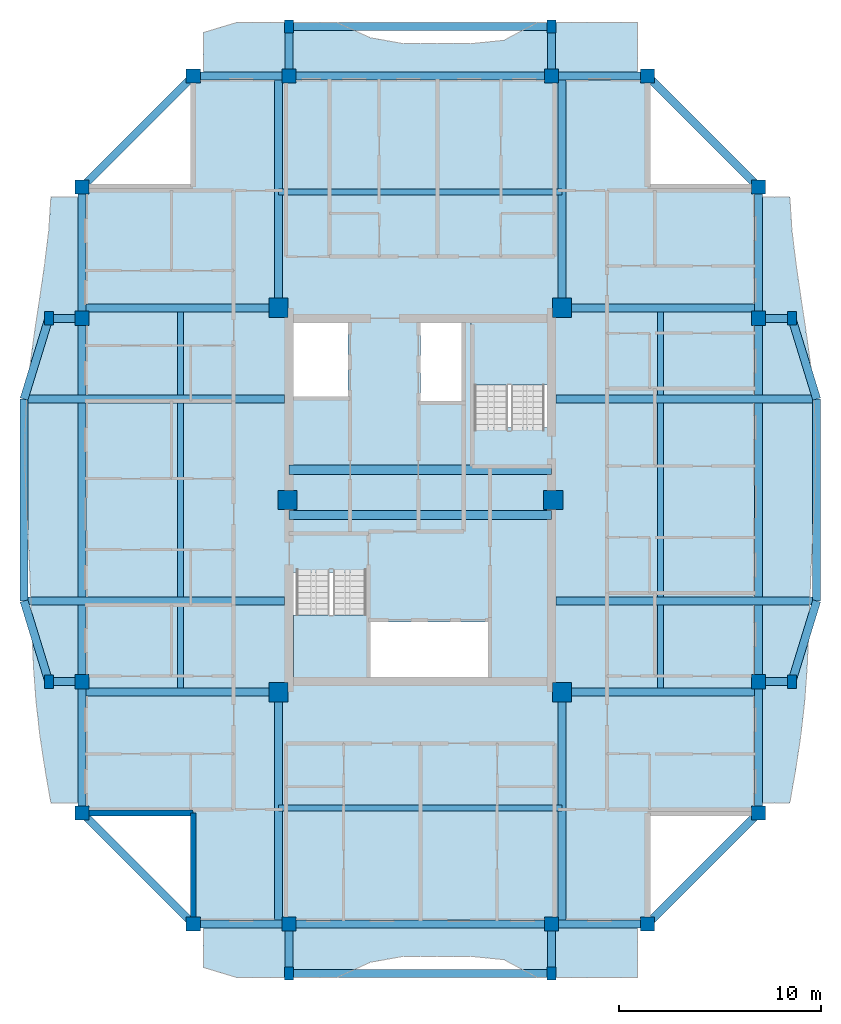
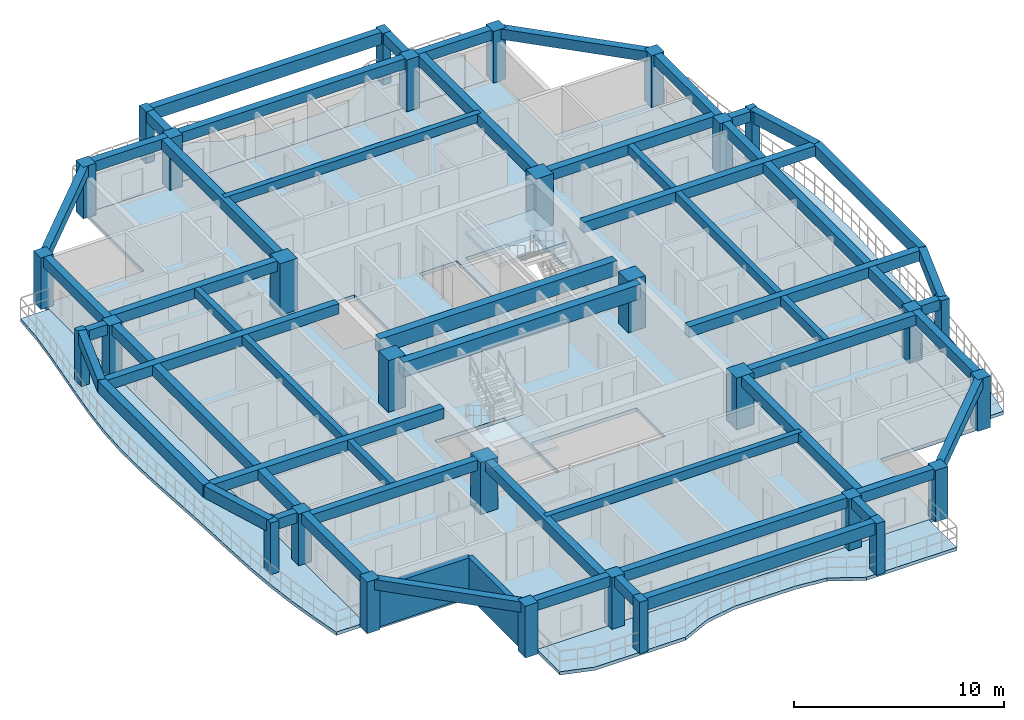
# One storey, part 1 of 13: 50 beams, 30 columns, 7 slabs, 2 walls, 2 elements without a shape of their own.
"""IFC4 building model written with IfcOpenShell, lengths in metres."""

from ifc_helpers import new_model, si_unit, direction, frame, frame_2d, origin, origin_2d, place, context, subcontext, project, spatial, polyline, rectangle, outline, extrude, source, transform, mapped, material, layer, layer_set, material_profile, profile_set, type_object, element, aggregate, save


model = new_model("IFC4")

# Units and contexts
model_context = context("Model", 3, precision=1e-05, world=origin(), true_north=direction((0.0, 1.0)))
body_context = subcontext(model_context, "Body", "Model", "MODEL_VIEW")
ifc_project = project(units=[si_unit("LENGTHUNIT", "METRE"), si_unit("AREAUNIT", "SQUARE_METRE"), si_unit("VOLUMEUNIT", "CUBIC_METRE"), si_unit("PLANEANGLEUNIT", "RADIAN"), si_unit("MASSUNIT", "GRAM", prefix="KILO")], contexts=[model_context])

# Site, building, storey
site_placement = place(None, origin())
site = spatial("IfcSite", under=ifc_project, at=site_placement, CompositionType="ELEMENT")
building_placement = place(site_placement, origin())
building = spatial("IfcBuilding", under=site, at=building_placement, Name="Saelheon Loggia Tower", CompositionType="ELEMENT")
storey_placement = place(building_placement, frame((0.0, 0.0, 220.199951171875)))
storey = spatial("IfcBuildingStorey", under=building, at=storey_placement, Name="L68", CompositionType="ELEMENT", Elevation=220.199951171875)

# Columns
ifc_material_1 = material(Name="Concrete C45/55", Category="concrete")
ifc_material_profile_1 = material_profile(ifc_material_1, rectangle(XDim=0.949951171875, YDim=0.949951171875, at=origin_2d()), Name="RC-950x950")
ifc_profile_set_1 = profile_set([ifc_material_profile_1], Name="Concrete C45/55")
column_type_1 = type_object("IfcColumnType", Name="Col_Core_RC950", PredefinedType="COLUMN", material=ifc_profile_set_1)
shared_shape_1 = source(origin(), body_context, "Body", "SweptSolid", [
    extrude(rectangle(XDim=0.949951171875, YDim=0.949951171875, at=origin_2d()), origin(), (0.0, 0.0, 1.0), 3.0),
])
for number, where, z_axis, x_axis, name in (
    (1, (30.97998046875, 17.47998046875, 0.0), (0.0, 0.0, 1.0), (1.0, 0.0, 0.0), "L68 Core Column CR-SW"),
    (2, (45.02001953125, 17.47998046875, 0.0), (0.0, 0.0, 1.0), (1.0, 0.0, 0.0), "L68 Core Column CR-SE"),
    (3, (30.97998046875, 36.52001953125, 0.0), (0.0, 0.0, 1.0), (1.0, 0.0, 0.0), "L68 Core Column CR-NW"),
    (4, (45.02001953125, 36.52001953125, 0.0), (0.0, 0.0, 1.0), (1.0, 0.0, 0.0), "L68 Core Column CR-NE"),
    (5, (31.419921875, 27.0, 0.0), (0.0, 0.0, 1.0), (1.0, 0.0, 0.0), "L68 Core Column CR-MW"),
    (6, (44.580078125, 27.0, 0.0), (0.0, 0.0, 1.0), (1.0, 0.0, 0.0), "L68 Core Column CR-ME"),
):
    element("IfcColumn", number, at=place(storey_placement, frame(where, z_axis=z_axis, x_axis=x_axis)), inside=storey, type_object=column_type_1, Name=name, PredefinedType="COLUMN", context=body_context, shape_type="MappedRepresentation", body=[
        mapped(shared_shape_1, transform((0.0, 0.0, 0.0), scale=1.0)),
    ])
ifc_material_2 = material(Name="Precast Concrete C45/55", Category="concrete")
ifc_material_profile_2 = material_profile(ifc_material_2, rectangle(XDim=0.449951171875, YDim=0.64990234375, at=origin_2d()), Name="RC-450x650")
ifc_profile_set_2 = profile_set([ifc_material_profile_2], Name="Precast Concrete C45/55")
column_type_2 = type_object("IfcColumnType", Name="Col_Loggia_Pilaster_650", PredefinedType="PILASTER", material=ifc_profile_set_2)
shared_shape_2 = source(origin(), body_context, "Body", "SweptSolid", [
    extrude(rectangle(XDim=0.449951171875, YDim=0.64990234375, at=origin_2d()), origin(), (0.0, 0.0, 1.0), 3.0),
])
for number, where, z_axis, x_axis, name in (
    (7, (31.5, 3.550048828125, 0.0), (0.0, 0.0, 1.0), (1.0, 0.0, 0.0), "L68 Loggia Frame Pilaster LP-S1"),
    (8, (44.5, 3.550048828125, 0.0), (0.0, 0.0, 1.0), (1.0, 0.0, 0.0), "L68 Loggia Frame Pilaster LP-S2"),
    (9, (31.5, 50.449951171875, 0.0), (0.0, 0.0, 1.0), (1.0, 0.0, 0.0), "L68 Loggia Frame Pilaster LP-N1"),
    (10, (44.5, 50.449951171875, 0.0), (0.0, 0.0, 1.0), (1.0, 0.0, 0.0), "L68 Loggia Frame Pilaster LP-N2"),
    (11, (56.39990234375, 18.0, 0.0), (0.0, 0.0, 1.0), (1.0, 0.0, 0.0), "L68 Loggia Frame Pilaster LP-E1"),
    (12, (56.39990234375, 36.0, 0.0), (0.0, 0.0, 1.0), (1.0, 0.0, 0.0), "L68 Loggia Frame Pilaster LP-E2"),
    (13, (19.60009765625, 18.0, 0.0), (0.0, 0.0, 1.0), (1.0, 0.0, 0.0), "L68 Loggia Frame Pilaster LP-W1"),
    (14, (19.60009765625, 36.0, 0.0), (0.0, 0.0, 1.0), (1.0, 0.0, 0.0), "L68 Loggia Frame Pilaster LP-W2"),
):
    element("IfcColumn", number, at=place(storey_placement, frame(where, z_axis=z_axis, x_axis=x_axis)), inside=storey, type_object=column_type_2, Name=name, PredefinedType="PILASTER", context=body_context, shape_type="MappedRepresentation", body=[
        mapped(shared_shape_2, transform((0.0, 0.0, 0.0), scale=1.0)),
    ])
ifc_material_profile_3 = material_profile(ifc_material_1, rectangle(XDim=0.699951171875, YDim=0.699951171875, at=origin_2d()), Name="RC-700x700")
ifc_profile_set_3 = profile_set([ifc_material_profile_3], Name="Concrete C45/55")
column_type_3 = type_object("IfcColumnType", Name="Col_Perim_RC700", PredefinedType="COLUMN", material=ifc_profile_set_3)
shared_shape_3 = source(origin(), body_context, "Body", "SweptSolid", [
    extrude(rectangle(XDim=0.699951171875, YDim=0.699951171875, at=origin_2d()), origin(), (0.0, 0.0, 1.0), 3.0),
])
for number, where, z_axis, x_axis, name in (
    (15, (26.75, 6.0, 0.0), (0.0, 0.0, 1.0), (1.0, 0.0, 0.0), "L68 Perimeter Column TP-S1"),
    (16, (31.5, 6.0, 0.0), (0.0, 0.0, 1.0), (1.0, 0.0, 0.0), "L68 Perimeter Column TP-SA"),
    (17, (44.5, 6.0, 0.0), (0.0, 0.0, 1.0), (1.0, 0.0, 0.0), "L68 Perimeter Column TP-SB"),
    (18, (49.25, 6.0, 0.0), (0.0, 0.0, 1.0), (1.0, 0.0, 0.0), "L68 Perimeter Column TP-S2"),
    (19, (54.75, 11.5, 0.0), (0.0, 0.0, 1.0), (1.0, 0.0, 0.0), "L68 Perimeter Column TP-E1"),
    (20, (54.75, 18.0, 0.0), (0.0, 0.0, 1.0), (1.0, 0.0, 0.0), "L68 Perimeter Column TP-EA"),
    (21, (54.75, 36.0, 0.0), (0.0, 0.0, 1.0), (1.0, 0.0, 0.0), "L68 Perimeter Column TP-EB"),
    (22, (54.75, 42.5, 0.0), (0.0, 0.0, 1.0), (1.0, 0.0, 0.0), "L68 Perimeter Column TP-E2"),
    (23, (49.25, 48.0, 0.0), (0.0, 0.0, 1.0), (1.0, 0.0, 0.0), "L68 Perimeter Column TP-N2"),
    (24, (44.5, 48.0, 0.0), (0.0, 0.0, 1.0), (1.0, 0.0, 0.0), "L68 Perimeter Column TP-NB"),
    (25, (31.5, 48.0, 0.0), (0.0, 0.0, 1.0), (1.0, 0.0, 0.0), "L68 Perimeter Column TP-NA"),
    (26, (26.75, 48.0, 0.0), (0.0, 0.0, 1.0), (1.0, 0.0, 0.0), "L68 Perimeter Column TP-N1"),
    (27, (21.25, 42.5, 0.0), (0.0, 0.0, 1.0), (1.0, 0.0, 0.0), "L68 Perimeter Column TP-W2"),
    (28, (21.25, 36.0, 0.0), (0.0, 0.0, 1.0), (1.0, 0.0, 0.0), "L68 Perimeter Column TP-WB"),
    (29, (21.25, 18.0, 0.0), (0.0, 0.0, 1.0), (1.0, 0.0, 0.0), "L68 Perimeter Column TP-WA"),
    (30, (21.25, 11.5, 0.0), (0.0, 0.0, 1.0), (1.0, 0.0, 0.0), "L68 Perimeter Column TP-W1"),
):
    element("IfcColumn", number, at=place(storey_placement, frame(where, z_axis=z_axis, x_axis=x_axis)), inside=storey, type_object=column_type_3, Name=name, PredefinedType="COLUMN", context=body_context, shape_type="MappedRepresentation", body=[
        mapped(shared_shape_3, transform((0.0, 0.0, 0.0), scale=1.0)),
    ])

# Beams
ifc_material_3 = material(Name="Concrete C50/60", Category="concrete")
ifc_material_profile_4 = material_profile(ifc_material_3, rectangle(XDim=0.449951171875, YDim=0.85009765625, at=origin_2d()), Name="RC-450x850")
ifc_profile_set_4 = profile_set([ifc_material_profile_4], Name="Concrete C50/60")
beam_type_1 = type_object("IfcBeamType", Name="Beam_CoreLintel_RC450x850", PredefinedType="LINTEL", material=ifc_profile_set_4)
shared_shape_4 = source(origin(), body_context, "Body", "SweptSolid", [
    extrude(rectangle(XDim=0.449951171875, YDim=0.85009765625, at=origin_2d()), origin(), (0.0, 0.0, 1.0), 13.0),
])
for number, where, z_axis, x_axis, name in (
    (31, (31.5, 26.25, 2.574951171875), (1.0, 0.0, 0.0), (0.0, 1.0, 0.0), "L68 Core Coupling Lintel 1"),
    (32, (31.5, 28.5, 2.574951171875), (1.0, 0.0, 0.0), (0.0, 1.0, 0.0), "L68 Core Coupling Lintel 2"),
):
    element("IfcBeam", number, at=place(storey_placement, frame(where, z_axis=z_axis, x_axis=x_axis)), inside=storey, type_object=beam_type_1, Name=name, PredefinedType="LINTEL", context=body_context, shape_type="MappedRepresentation", body=[
        mapped(shared_shape_4, transform((0.0, 0.0, 0.0), scale=1.0)),
    ])
ifc_material_profile_5 = material_profile(ifc_material_2, rectangle(XDim=0.39990234375, YDim=0.60009765625, at=origin_2d()), Name="RC-400x600")
ifc_profile_set_5 = profile_set([ifc_material_profile_5], Name="Precast Concrete C45/55")
beam_type_2 = type_object("IfcBeamType", Name="Beam_LoggiaTie_RC400x600", PredefinedType="BEAM", material=ifc_profile_set_5)
shared_shape_5 = source(origin(), body_context, "Body", "SweptSolid", [
    extrude(rectangle(XDim=0.39990234375, YDim=0.60009765625, at=origin_2d()), origin(), (0.0, 0.0, 1.0), 2.449951171875),
])
for number, where, z_axis, x_axis, name in (
    (33, (31.5, 6.0, 2.699951171875), (0.0, -1.0, 0.0), (1.0, 0.0, 0.0), "L68 Loggia Frame Tie Beam LP-S1"),
    (34, (44.5, 6.0, 2.699951171875), (0.0, -1.0, 0.0), (1.0, 0.0, 0.0), "L68 Loggia Frame Tie Beam LP-S2"),
    (35, (31.5, 48.0, 2.699951171875), (0.0, 1.0, 0.0), (-1.0, 0.0, 0.0), "L68 Loggia Frame Tie Beam LP-N1"),
    (36, (44.5, 48.0, 2.699951171875), (0.0, 1.0, 0.0), (-1.0, 0.0, 0.0), "L68 Loggia Frame Tie Beam LP-N2"),
):
    element("IfcBeam", number, at=place(storey_placement, frame(where, z_axis=z_axis, x_axis=x_axis)), inside=storey, type_object=beam_type_2, Name=name, PredefinedType="BEAM", context=body_context, shape_type="MappedRepresentation", body=[
        mapped(shared_shape_5, transform((0.0, 0.0, 0.0), scale=1.0)),
    ])
ifc_material_4 = material(Name="Concrete C40/50", Category="concrete")
ifc_material_profile_6 = material_profile(ifc_material_4, rectangle(XDim=0.300048828125, YDim=0.5, at=origin_2d()), Name="RC-300x500")
ifc_profile_set_6 = profile_set([ifc_material_profile_6], Name="Concrete C40/50")
beam_type_3 = type_object("IfcBeamType", Name="Beam_Joist_RC300x500", PredefinedType="JOIST", material=ifc_profile_set_6)
shared_shape_6 = source(origin(), body_context, "Body", "SweptSolid", [
    extrude(rectangle(XDim=0.300048828125, YDim=0.5, at=origin_2d()), origin(), (0.0, 0.0, 1.0), 14.0400390625),
])
for number, where, z_axis, x_axis, name in (
    (37, (30.97998046875, 11.739990234375, 2.75), (1.0, 0.0, 0.0), (0.0, 1.0, 0.0), "L68 South Floor Joist"),
    (38, (30.97998046875, 42.260009765625, 2.75), (1.0, 0.0, 0.0), (0.0, 1.0, 0.0), "L68 North Floor Joist"),
):
    element("IfcBeam", number, at=place(storey_placement, frame(where, z_axis=z_axis, x_axis=x_axis)), inside=storey, type_object=beam_type_3, Name=name, PredefinedType="JOIST", context=body_context, shape_type="MappedRepresentation", body=[
        mapped(shared_shape_6, transform((0.0, 0.0, 0.0), scale=1.0)),
    ])
shared_shape_7 = source(origin(), body_context, "Body", "SweptSolid", [
    extrude(rectangle(XDim=0.300048828125, YDim=0.5, at=origin_2d()), origin(), (0.0, 0.0, 1.0), 19.0400390625),
])
for number, where, z_axis, x_axis, name in (
    (39, (26.114990234375, 17.47998046875, 2.75), (0.0, 1.0, 0.0), (-1.0, 0.0, 0.0), "L68 West Floor Joist"),
    (40, (49.885009765625, 17.47998046875, 2.75), (0.0, 1.0, 0.0), (-1.0, 0.0, 0.0), "L68 East Floor Joist"),
):
    element("IfcBeam", number, at=place(storey_placement, frame(where, z_axis=z_axis, x_axis=x_axis)), inside=storey, type_object=beam_type_3, Name=name, PredefinedType="JOIST", context=body_context, shape_type="MappedRepresentation", body=[
        mapped(shared_shape_7, transform((0.0, 0.0, 0.0), scale=1.0)),
    ])
shared_shape_8 = source(origin(), body_context, "Body", "SweptSolid", [
    extrude(rectangle(XDim=0.39990234375, YDim=0.60009765625, at=origin_2d()), origin(), (0.0, 0.0, 1.0), 1.64990234375),
])
for number, where, z_axis, x_axis, name in (
    (41, (54.75, 18.0, 2.699951171875), (1.0, 0.0, 0.0), (0.0, 1.0, 0.0), "L68 Loggia Frame Tie Beam LP-E1"),
    (42, (54.75, 36.0, 2.699951171875), (1.0, 0.0, 0.0), (0.0, 1.0, 0.0), "L68 Loggia Frame Tie Beam LP-E2"),
    (43, (21.25, 18.0, 2.699951171875), (-1.0, 0.0, 0.0), (0.0, -1.0, 0.0), "L68 Loggia Frame Tie Beam LP-W1"),
    (44, (21.25, 36.0, 2.699951171875), (-1.0, 0.0, 0.0), (0.0, -1.0, 0.0), "L68 Loggia Frame Tie Beam LP-W2"),
):
    element("IfcBeam", number, at=place(storey_placement, frame(where, z_axis=z_axis, x_axis=x_axis)), inside=storey, type_object=beam_type_2, Name=name, PredefinedType="BEAM", context=body_context, shape_type="MappedRepresentation", body=[
        mapped(shared_shape_8, transform((0.0, 0.0, 0.0), scale=1.0)),
    ])
ifc_material_profile_7 = material_profile(ifc_material_2, rectangle(XDim=0.39990234375, YDim=0.699951171875, at=origin_2d()), Name="RC-400x700")
ifc_profile_set_7 = profile_set([ifc_material_profile_7], Name="Precast Concrete C45/55")
beam_type_4 = type_object("IfcBeamType", Name="Beam_LoggiaSpandrel_RC400x700", PredefinedType="SPANDREL", material=ifc_profile_set_7)
shared_shape_9 = source(origin(), body_context, "Body", "SweptSolid", [
    extrude(rectangle(XDim=0.39990234375, YDim=0.699951171875, at=origin_2d()), origin(), (0.0, 0.0, 1.0), 13.0),
])
for number, where, z_axis, x_axis, name in (
    (45, (31.5, 3.550048828125, 2.650146484375), (1.0, 0.0, 0.0), (0.0, 1.0, 0.0), "L68 Loggia Spandrel Beam S"),
    (46, (31.5, 50.449951171875, 2.650146484375), (1.0, 0.0, 0.0), (0.0, 1.0, 0.0), "L68 Loggia Spandrel Beam N"),
):
    element("IfcBeam", number, at=place(storey_placement, frame(where, z_axis=z_axis, x_axis=x_axis)), inside=storey, type_object=beam_type_4, Name=name, PredefinedType="SPANDREL", context=body_context, shape_type="MappedRepresentation", body=[
        mapped(shared_shape_9, transform((0.0, 0.0, 0.0), scale=1.0)),
    ])
shared_shape_10 = source(origin(), body_context, "Body", "SweptSolid", [
    extrude(rectangle(XDim=0.39990234375, YDim=0.699951171875, at=origin_2d()), origin(), (0.0, 0.0, 1.0), 4.184814453125),
])
for number, where, z_axis, x_axis, name in (
    (47, (56.39990234375, 18.0, 2.650146484375), (0.293913664135, 0.955831971653, 0.0), (-0.955831971653, 0.293913664135, 0.0), "L68 Curved Loggia Spandrel E 1"),
    (48, (57.6298828125, 32.0, 2.650146484375), (-0.293913664135, 0.955831971653, 0.0), (-0.955831971653, -0.293913664135, 0.0), "L68 Curved Loggia Spandrel E 3"),
    (49, (19.60009765625, 18.0, 2.650146484375), (-0.293913664135, 0.955831971653, 0.0), (-0.955831971653, -0.293913664135, 0.0), "L68 Curved Loggia Spandrel W 1"),
    (50, (18.3701171875, 32.0, 2.650146484375), (0.293913664135, 0.955831971653, 0.0), (-0.955831971653, 0.293913664135, 0.0), "L68 Curved Loggia Spandrel W 3"),
):
    element("IfcBeam", number, at=place(storey_placement, frame(where, z_axis=z_axis, x_axis=x_axis)), inside=storey, type_object=beam_type_4, Name=name, PredefinedType="SPANDREL", context=body_context, shape_type="MappedRepresentation", body=[
        mapped(shared_shape_10, transform((0.0, 0.0, 0.0), scale=1.0)),
    ])
shared_shape_11 = source(origin(), body_context, "Body", "SweptSolid", [
    extrude(rectangle(XDim=0.39990234375, YDim=0.699951171875, at=origin_2d()), origin(), (0.0, 0.0, 1.0), 10.0),
])
for number, where, z_axis, x_axis, name in (
    (51, (57.6298828125, 22.0, 2.650146484375), (0.0, 1.0, 0.0), (-1.0, 0.0, 0.0), "L68 Curved Loggia Spandrel E 2"),
    (52, (18.3701171875, 22.0, 2.650146484375), (0.0, 1.0, 0.0), (-1.0, 0.0, 0.0), "L68 Curved Loggia Spandrel W 2"),
):
    element("IfcBeam", number, at=place(storey_placement, frame(where, z_axis=z_axis, x_axis=x_axis)), inside=storey, type_object=beam_type_4, Name=name, PredefinedType="SPANDREL", context=body_context, shape_type="MappedRepresentation", body=[
        mapped(shared_shape_11, transform((0.0, 0.0, 0.0), scale=1.0)),
    ])
ifc_material_profile_8 = material_profile(ifc_material_4, rectangle(XDim=0.39990234375, YDim=0.60009765625, at=origin_2d()), Name="RC-400x600")
ifc_profile_set_8 = profile_set([ifc_material_profile_8], Name="Concrete C40/50")
beam_type_5 = type_object("IfcBeamType", Name="Beam_PerimUpper_RC400x600", PredefinedType="BEAM", material=ifc_profile_set_8)
shared_shape_12 = source(origin(), body_context, "Body", "SweptSolid", [
    extrude(rectangle(XDim=0.39990234375, YDim=0.60009765625, at=origin_2d()), origin(), (0.0, 0.0, 1.0), 13.0),
])
for number, where, z_axis, x_axis, name in (
    (53, (31.5, 6.0, 2.699951171875), (1.0, 0.0, 0.0), (0.0, 1.0, 0.0), "L68 Perimeter Frame Girder 02"),
    (54, (44.5, 48.0, 2.699951171875), (-1.0, 0.0, 0.0), (0.0, -1.0, 0.0), "L68 Perimeter Frame Girder 10"),
):
    element("IfcBeam", number, at=place(storey_placement, frame(where, z_axis=z_axis, x_axis=x_axis)), inside=storey, type_object=beam_type_5, Name=name, PredefinedType="BEAM", context=body_context, shape_type="MappedRepresentation", body=[
        mapped(shared_shape_12, transform((0.0, 0.0, 0.0), scale=1.0)),
    ])
shared_shape_13 = source(origin(), body_context, "Body", "SweptSolid", [
    extrude(rectangle(XDim=0.39990234375, YDim=0.60009765625, at=origin_2d()), origin(), (0.0, 0.0, 1.0), 18.0),
])
for number, where, z_axis, x_axis, name in (
    (55, (54.75, 18.0, 2.699951171875), (0.0, 1.0, 0.0), (-1.0, 0.0, 0.0), "L68 Perimeter Frame Girder 06"),
    (56, (21.25, 36.0, 2.699951171875), (0.0, -1.0, 0.0), (1.0, 0.0, 0.0), "L68 Perimeter Frame Girder 14"),
):
    element("IfcBeam", number, at=place(storey_placement, frame(where, z_axis=z_axis, x_axis=x_axis)), inside=storey, type_object=beam_type_5, Name=name, PredefinedType="BEAM", context=body_context, shape_type="MappedRepresentation", body=[
        mapped(shared_shape_13, transform((0.0, 0.0, 0.0), scale=1.0)),
    ])
ifc_material_profile_9 = material_profile(ifc_material_4, rectangle(XDim=0.39990234375, YDim=0.60009765625, at=origin_2d()), Name="RC-400x600")
ifc_profile_set_9 = profile_set([ifc_material_profile_9], Name="Concrete C40/50")
beam_type_6 = type_object("IfcBeamType", Name="Beam_UpperGirder_RC400x600", PredefinedType="BEAM", material=ifc_profile_set_9)
shared_shape_14 = source(origin(), body_context, "Body", "SweptSolid", [
    extrude(rectangle(XDim=0.39990234375, YDim=0.60009765625, at=origin_2d()), origin(), (0.0, 0.0, 1.0), 11.47998046875),
])
for number, where, z_axis, x_axis, name in (
    (57, (30.97998046875, 17.47998046875, 2.699951171875), (0.0, -1.0, 0.0), (1.0, 0.0, 0.0), "L68 Radial Floor Girder RAD-SW-S"),
    (58, (45.02001953125, 17.47998046875, 2.699951171875), (0.0, -1.0, 0.0), (1.0, 0.0, 0.0), "L68 Radial Floor Girder RAD-SE-S"),
    (59, (30.97998046875, 36.52001953125, 2.699951171875), (0.0, 1.0, 0.0), (-1.0, 0.0, 0.0), "L68 Radial Floor Girder RAD-NW-N"),
    (60, (45.02001953125, 36.52001953125, 2.699951171875), (0.0, 1.0, 0.0), (-1.0, 0.0, 0.0), "L68 Radial Floor Girder RAD-NE-N"),
):
    element("IfcBeam", number, at=place(storey_placement, frame(where, z_axis=z_axis, x_axis=x_axis)), inside=storey, type_object=beam_type_6, Name=name, PredefinedType="BEAM", context=body_context, shape_type="MappedRepresentation", body=[
        mapped(shared_shape_14, transform((0.0, 0.0, 0.0), scale=1.0)),
    ])
shared_shape_15 = source(origin(), body_context, "Body", "SweptSolid", [
    extrude(rectangle(XDim=0.39990234375, YDim=0.60009765625, at=origin_2d()), origin(), (0.0, 0.0, 1.0), 6.5),
])
for number, where, z_axis, x_axis, name in (
    (61, (54.75, 11.5, 2.699951171875), (0.0, 1.0, 0.0), (-1.0, 0.0, 0.0), "L68 Perimeter Frame Girder 05"),
    (62, (54.75, 36.0, 2.699951171875), (0.0, 1.0, 0.0), (-1.0, 0.0, 0.0), "L68 Perimeter Frame Girder 07"),
    (63, (21.25, 42.5, 2.699951171875), (0.0, -1.0, 0.0), (1.0, 0.0, 0.0), "L68 Perimeter Frame Girder 13"),
    (64, (21.25, 18.0, 2.699951171875), (0.0, -1.0, 0.0), (1.0, 0.0, 0.0), "L68 Perimeter Frame Girder 15"),
):
    element("IfcBeam", number, at=place(storey_placement, frame(where, z_axis=z_axis, x_axis=x_axis)), inside=storey, type_object=beam_type_5, Name=name, PredefinedType="BEAM", context=body_context, shape_type="MappedRepresentation", body=[
        mapped(shared_shape_15, transform((0.0, 0.0, 0.0), scale=1.0)),
    ])
shared_shape_16 = source(origin(), body_context, "Body", "SweptSolid", [
    extrude(rectangle(XDim=0.39990234375, YDim=0.60009765625, at=origin_2d()), origin(), (0.0, 0.0, 1.0), 7.778076171875),
])
for number, where, z_axis, x_axis, name in (
    (65, (49.25, 6.0, 2.699951171875), (0.707106781187, 0.707106781187, 0.0), (-0.707106781187, 0.707106781187, 0.0), "L68 Perimeter Frame Girder 04"),
    (66, (54.75, 42.5, 2.699951171875), (-0.707106781187, 0.707106781187, 0.0), (-0.707106781187, -0.707106781187, 0.0), "L68 Perimeter Frame Girder 08"),
    (67, (26.75, 48.0, 2.699951171875), (-0.707106781187, -0.707106781187, 0.0), (0.707106781187, -0.707106781187, 0.0), "L68 Perimeter Frame Girder 12"),
    (68, (21.25, 11.5, 2.699951171875), (0.707106781187, -0.707106781187, 0.0), (0.707106781187, 0.707106781187, 0.0), "L68 Perimeter Frame Girder 16"),
):
    element("IfcBeam", number, at=place(storey_placement, frame(where, z_axis=z_axis, x_axis=x_axis)), inside=storey, type_object=beam_type_5, Name=name, PredefinedType="BEAM", context=body_context, shape_type="MappedRepresentation", body=[
        mapped(shared_shape_16, transform((0.0, 0.0, 0.0), scale=1.0)),
    ])
shared_shape_17 = source(origin(), body_context, "Body", "SweptSolid", [
    extrude(rectangle(XDim=0.39990234375, YDim=0.60009765625, at=origin_2d()), origin(), (0.0, 0.0, 1.0), 4.75),
])
for number, where, z_axis, x_axis, name in (
    (69, (26.75, 6.0, 2.699951171875), (1.0, 0.0, 0.0), (0.0, 1.0, 0.0), "L68 Perimeter Frame Girder 01"),
    (70, (44.5, 6.0, 2.699951171875), (1.0, 0.0, 0.0), (0.0, 1.0, 0.0), "L68 Perimeter Frame Girder 03"),
    (71, (49.25, 48.0, 2.699951171875), (-1.0, 0.0, 0.0), (0.0, -1.0, 0.0), "L68 Perimeter Frame Girder 09"),
    (72, (31.5, 48.0, 2.699951171875), (-1.0, 0.0, 0.0), (0.0, -1.0, 0.0), "L68 Perimeter Frame Girder 11"),
):
    element("IfcBeam", number, at=place(storey_placement, frame(where, z_axis=z_axis, x_axis=x_axis)), inside=storey, type_object=beam_type_5, Name=name, PredefinedType="BEAM", context=body_context, shape_type="MappedRepresentation", body=[
        mapped(shared_shape_17, transform((0.0, 0.0, 0.0), scale=1.0)),
    ])
shared_shape_18 = source(origin(), body_context, "Body", "SweptSolid", [
    extrude(rectangle(XDim=0.39990234375, YDim=0.60009765625, at=origin_2d()), origin(), (0.0, 0.0, 1.0), 9.72998046875),
])
for number, where, z_axis, x_axis, name in (
    (73, (30.97998046875, 17.47998046875, 2.699951171875), (-1.0, 0.0, 0.0), (0.0, -1.0, 0.0), "L68 Radial Floor Girder RAD-SW-W"),
    (74, (30.97998046875, 36.52001953125, 2.699951171875), (-1.0, 0.0, 0.0), (0.0, -1.0, 0.0), "L68 Radial Floor Girder RAD-NW-W"),
    (75, (45.02001953125, 17.47998046875, 2.699951171875), (1.0, 0.0, 0.0), (0.0, 1.0, 0.0), "L68 Radial Floor Girder RAD-SE-E"),
    (76, (45.02001953125, 36.52001953125, 2.699951171875), (1.0, 0.0, 0.0), (0.0, 1.0, 0.0), "L68 Radial Floor Girder RAD-NE-E"),
):
    element("IfcBeam", number, at=place(storey_placement, frame(where, z_axis=z_axis, x_axis=x_axis)), inside=storey, type_object=beam_type_6, Name=name, PredefinedType="BEAM", context=body_context, shape_type="MappedRepresentation", body=[
        mapped(shared_shape_18, transform((0.0, 0.0, 0.0), scale=1.0)),
    ])
shared_shape_19 = source(origin(), body_context, "Body", "SweptSolid", [
    extrude(rectangle(XDim=0.39990234375, YDim=0.60009765625, at=origin_2d()), origin(), (0.0, 0.0, 1.0), 12.909912109375),
])
for number, where, z_axis, x_axis, name in (
    (77, (44.719970703125, 22.0, 2.699951171875), (1.0, 0.0, 0.0), (0.0, 1.0, 0.0), "L68 Curved Facade Outrigger Beam E 1"),
    (78, (44.719970703125, 32.0, 2.699951171875), (1.0, 0.0, 0.0), (0.0, 1.0, 0.0), "L68 Curved Facade Outrigger Beam E 2"),
    (79, (31.280029296875, 22.0, 2.699951171875), (-1.0, 0.0, 0.0), (0.0, -1.0, 0.0), "L68 Curved Facade Outrigger Beam W 1"),
    (80, (31.280029296875, 32.0, 2.699951171875), (-1.0, 0.0, 0.0), (0.0, -1.0, 0.0), "L68 Curved Facade Outrigger Beam W 2"),
):
    element("IfcBeam", number, at=place(storey_placement, frame(where, z_axis=z_axis, x_axis=x_axis)), inside=storey, type_object=beam_type_2, Name=name, PredefinedType="BEAM", context=body_context, shape_type="MappedRepresentation", body=[
        mapped(shared_shape_19, transform((0.0, 0.0, 0.0), scale=1.0)),
    ])

# Slabs
ifc_layer_1 = layer(ifc_material_2, 0.18994140625)
ifc_layer_set_1 = layer_set([ifc_layer_1], Name="Precast Concrete C45/55")
slab_type_1 = type_object("IfcSlabType", Name="Slab_Loggia_Ext_190", PredefinedType="FLOOR", material=ifc_layer_set_1)
slab_1_placement = place(storey_placement, frame((0.0, 0.0, -0.18994140625)))
element("IfcSlab", 81, at=slab_1_placement, inside=storey, type_object=slab_type_1, Name="L68 Loggia Balcony Slab S", PredefinedType="FLOOR", context=body_context, shape_type="SweptSolid", body=[
    extrude(outline(polyline([(27.25, 3.85009765625), (28.90380859375, 3.35009765625), (30.5576171875, 3.35009765625), (32.21142578125, 3.35009765625), (33.865478515625, 3.35009765625), (35.519287109375, 4.103515625), (37.173095703125, 4.39990234375), (38.826904296875, 4.39990234375), (40.480712890625, 4.39990234375), (42.134521484375, 4.233642578125), (43.78857421875, 3.351806640625), (45.4423828125, 3.35009765625), (47.09619140625, 3.35009765625), (48.75, 3.35009765625), (48.75, 6.0), (27.25, 6.0), (27.25, 3.85009765625)])), origin(), (0.0, 0.0, 1.0), 0.18994140625),
])
slab_2_placement = place(storey_placement, frame((0.0, 0.0, -0.18994140625)))
element("IfcSlab", 82, at=slab_2_placement, inside=storey, type_object=slab_type_1, Name="L68 Loggia Balcony Slab N", PredefinedType="FLOOR", context=body_context, shape_type="SweptSolid", body=[
    extrude(outline(polyline([(27.25, 48.0), (48.75, 48.0), (48.75, 50.64990234375), (47.09619140625, 50.64990234375), (45.4423828125, 50.64990234375), (43.78857421875, 50.648193359375), (42.134521484375, 49.766357421875), (40.480712890625, 49.60009765625), (38.826904296875, 49.60009765625), (37.173095703125, 49.60009765625), (35.519287109375, 49.896484375), (33.865478515625, 50.64990234375), (32.21142578125, 50.64990234375), (30.5576171875, 50.64990234375), (28.90380859375, 50.64990234375), (27.25, 50.14990234375), (27.25, 48.0)])), origin(), (0.0, 0.0, 1.0), 0.18994140625),
])
slab_3_placement = place(storey_placement, frame((0.0, 0.0, -0.18994140625)))
element("IfcSlab", 83, at=slab_3_placement, inside=storey, type_object=slab_type_1, Name="L68 Loggia Balcony Slab E", PredefinedType="FLOOR", context=body_context, shape_type="SweptSolid", body=[
    extrude(outline(polyline([(54.75, 12.0), (56.300048828125, 12.0), (56.591796875, 13.666748046875), (56.844482421875, 15.333251953125), (57.033447265625, 17.0), (57.156494140625, 18.666748046875), (57.23193359375, 20.333251953125), (57.28955078125, 22.0), (57.3544921875, 23.666748046875), (57.43603515625, 25.333251953125), (57.521240234375, 27.0), (57.5810546875, 28.666748046875), (57.58154296875, 30.333251953125), (57.5, 32.0), (57.334716796875, 33.666748046875), (57.106689453125, 35.333251953125), (56.852783203125, 37.0), (56.611328125, 38.666748046875), (56.4072265625, 40.333251953125), (56.300048828125, 42.0), (54.75, 42.0), (54.75, 12.0)])), origin(), (0.0, 0.0, 1.0), 0.18994140625),
])
slab_4_placement = place(storey_placement, frame((0.0, 0.0, -0.18994140625)))
element("IfcSlab", 84, at=slab_4_placement, inside=storey, type_object=slab_type_1, Name="L68 Loggia Balcony Slab W", PredefinedType="FLOOR", context=body_context, shape_type="SweptSolid", body=[
    extrude(outline(polyline([(21.25, 12.0), (21.25, 42.0), (19.699951171875, 42.0), (19.5927734375, 40.333251953125), (19.388671875, 38.666748046875), (19.147216796875, 37.0), (18.893310546875, 35.333251953125), (18.665283203125, 33.666748046875), (18.5, 32.0), (18.41845703125, 30.333251953125), (18.4189453125, 28.666748046875), (18.478759765625, 27.0), (18.56396484375, 25.333251953125), (18.6455078125, 23.666748046875), (18.71044921875, 22.0), (18.76806640625, 20.333251953125), (18.843505859375, 18.666748046875), (18.966552734375, 17.0), (19.155517578125, 15.333251953125), (19.408203125, 13.666748046875), (19.699951171875, 12.0), (21.25, 12.0)])), origin(), (0.0, 0.0, 1.0), 0.18994140625),
])

# Stair, slab
stair_type = type_object("IfcStairType", Name="Stair_Escape_Core", PredefinedType="HALF_TURN_STAIR", material=ifc_material_4)
stair_1_placement = place(storey_placement, origin())
stair_1 = element("IfcStair", 85, at=stair_1_placement, inside=storey, type_object=stair_type, Name="L68 Special Escape Stair ST1", PredefinedType="HALF_TURN_STAIR")
ifc_layer_2 = layer(ifc_material_4, 0.199951171875)
ifc_layer_set_2 = layer_set([ifc_layer_2], Name="Concrete C40/50")
slab_type_2 = type_object("IfcSlabType", Name="Slab_StairLanding_ST1", PredefinedType="LANDING", material=ifc_layer_set_2)
slab_5_placement = place(storey_placement, frame((0.0, 0.0, 1.300048828125)))
slab_5 = element("IfcSlab", 86, at=slab_5_placement, type_object=slab_type_2, Name="ST1 landing 1", PredefinedType="LANDING", context=body_context, shape_type="SweptSolid", body=[
    extrude(outline(polyline([(31.7099609375, 21.31005859375), (31.7099609375, 18.2099609375), (35.469970703125, 18.2099609375), (35.469970703125, 21.31005859375), (31.7099609375, 21.31005859375)])), origin(), (0.0, 0.0, 1.0), 0.199951171875),
])
aggregate(stair_1, [slab_5])

stair_2_placement = place(storey_placement, origin())
stair_2 = element("IfcStair", 87, at=stair_2_placement, inside=storey, type_object=stair_type, Name="L68 Special Escape Stair ST2", PredefinedType="HALF_TURN_STAIR")
ifc_layer_3 = layer(ifc_material_4, 0.199951171875)
ifc_layer_set_3 = layer_set([ifc_layer_3], Name="Concrete C40/50")
slab_type_3 = type_object("IfcSlabType", Name="Slab_StairLanding_ST2", PredefinedType="LANDING", material=ifc_layer_set_3)
slab_6_placement = place(storey_placement, frame((0.0, 0.0, 1.300048828125)))
slab_6 = element("IfcSlab", 88, at=slab_6_placement, type_object=slab_type_3, Name="ST2 landing 1", PredefinedType="LANDING", context=body_context, shape_type="SweptSolid", body=[
    extrude(outline(polyline([(44.2900390625, 32.68994140625), (44.2900390625, 35.7900390625), (40.530029296875, 35.7900390625), (40.530029296875, 32.68994140625), (44.2900390625, 32.68994140625)])), origin(), (0.0, 0.0, 1.0), 0.199951171875),
])
aggregate(stair_2, [slab_6])

# Slab
ifc_layer_4 = layer(ifc_material_4, 0.2099609375)
ifc_layer_set_4 = layer_set([ifc_layer_4], Name="Concrete C40/50")
slab_type_4 = type_object("IfcSlabType", Name="Slab_Tower_210", PredefinedType="FLOOR", material=ifc_layer_set_4)
slab_7_placement = place(storey_placement, frame((0.0, 0.0, -0.2099609375)))
element("IfcSlab", 89, at=slab_7_placement, inside=storey, type_object=slab_type_4, Name="L68 Tower Floor Slab", PredefinedType="FLOOR", context=body_context, shape_type="SweptSolid", body=[
    extrude(outline(polyline([(26.75, 6.0), (49.25, 6.0), (49.25, 11.5), (54.75, 11.5), (54.75, 42.5), (49.25, 42.5), (49.25, 48.0), (26.75, 48.0), (26.75, 42.5), (21.25, 42.5), (21.25, 11.5), (26.75, 11.5), (26.75, 6.0)]), holes=[polyline([(31.699951171875, 23.409912109375), (31.699951171875, 18.199951171875), (35.47998046875, 18.199951171875), (35.47998046875, 23.409912109375), (31.699951171875, 23.409912109375)]), polyline([(44.300048828125, 30.590087890625), (44.300048828125, 35.800048828125), (40.52001953125, 35.800048828125), (40.52001953125, 30.590087890625), (44.300048828125, 30.590087890625)]), polyline([(35.530029296875, 18.22509765625), (41.35009765625, 18.22509765625), (41.35009765625, 20.9599609375), (35.530029296875, 20.9599609375), (35.530029296875, 18.22509765625)]), polyline([(31.72509765625, 32.1201171875), (34.419921875, 32.1201171875), (34.419921875, 35.77490234375), (31.72509765625, 35.77490234375), (31.72509765625, 32.1201171875)]), polyline([(38.0, 31.89990234375), (40.050048828125, 31.89990234375), (40.050048828125, 35.77490234375), (38.0, 35.77490234375), (38.0, 31.89990234375)])]), origin(), (0.0, 0.0, 1.0), 0.2099609375),
])

# Walls
ifc_material_5 = material(Name="Architectural Precast Concrete C40/50", Category="concrete")
ifc_layer_5 = layer(ifc_material_5, 0.280029296875)
ifc_layer_set_5 = layer_set([ifc_layer_5], Name="Architectural Precast Concrete C40/50")
wall_type = type_object("IfcWallType", Name="Wall_Ext_Loggia_280", PredefinedType="SOLIDWALL", material=ifc_layer_set_5)
for number, where, z_axis, x_axis, name in (
    (90, (26.75, 6.080078125, 0.0), (0.0, 0.0, 1.0), (0.0, 1.0, 0.0), "L68 Corner Notch Precast Wall SW1"),
    (91, (21.330078125, 11.5, 0.0), (0.0, 0.0, 1.0), (1.0, 0.0, 0.0), "L68 Corner Notch Precast Wall SW2"),
):
    element("IfcWall", number, at=place(storey_placement, frame(where, z_axis=z_axis, x_axis=x_axis)), inside=storey, type_object=wall_type, Name=name, PredefinedType="SOLIDWALL", context=body_context, shape_type="SweptSolid", body=[
        extrude(rectangle(XDim=5.419921875, YDim=0.280029296875, at=frame_2d((2.7099609375, 0.0))), origin(), (0.0, 0.0, 1.0), 2.280029296875),
    ])

save(model, "model.ifc")
